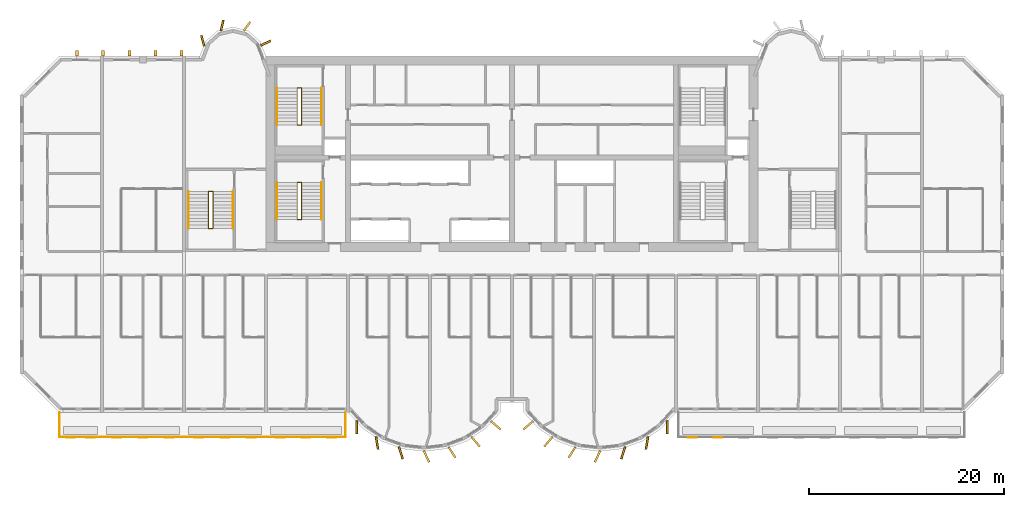
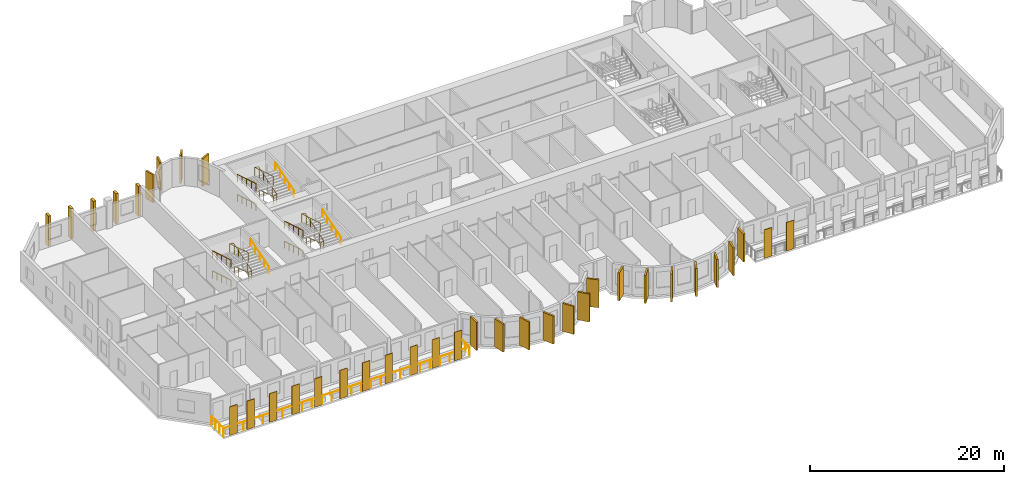
# One storey, part 12 of 14: 36 coverings, 13 railings.
"""IFC4 building model written with IfcOpenShell, lengths in metres."""

from ifc_helpers import new_model, si_unit, direction, frame, origin, origin_2d, place, context, subcontext, project, spatial, rectangle, circle, extrude, source, transform, mapped, material, layer, layer_set, material_profile, profile_set, type_object, element, save


model = new_model("IFC4")

# Units and contexts
model_context = context("Model", 3, precision=1e-05, world=origin(), true_north=direction((0.0, 1.0)))
body_context = subcontext(model_context, "Body", "Model", "MODEL_VIEW")
ifc_project = project(units=[si_unit("LENGTHUNIT", "METRE"), si_unit("AREAUNIT", "SQUARE_METRE"), si_unit("VOLUMEUNIT", "CUBIC_METRE"), si_unit("PLANEANGLEUNIT", "RADIAN"), si_unit("MASSUNIT", "GRAM", prefix="KILO")], contexts=[model_context])

# Site, building, storey
site_placement = place(None, origin())
site = spatial("IfcSite", under=ifc_project, at=site_placement, CompositionType="ELEMENT")
building_placement = place(site_placement, origin())
building = spatial("IfcBuilding", under=site, at=building_placement, Name="Vanashikhar Sky Hotel", CompositionType="ELEMENT")
storey_placement = place(building_placement, frame((0.0, 0.0, 125.60009765625)))
storey = spatial("IfcBuildingStorey", under=building, at=storey_placement, Name="L30", CompositionType="ELEMENT", Elevation=125.60009765625)

# Railing
ifc_material_1 = material(Name="Stainless steel 316", Category="steel")
railing_type_1 = type_object("IfcRailingType", Name="Balcony guard 1100", PredefinedType="GUARDRAIL", material=ifc_material_1)
shared_shape_1 = source(origin(), body_context, "Body", "SweptSolid", [
    extrude(circle(Radius=0.02392578125, at=origin_2d()), frame((0.0, 0.0, 1.076171875), z_axis=(0.0, -1.0, 0.0), x_axis=(1.0, 0.0, 0.0)), (0.0, 0.0, 1.0), 2.5),
    extrude(circle(Radius=0.02392578125, at=origin_2d()), frame((0.0, -2.5, 1.076171875), z_axis=(1.0, 0.0, 0.0), x_axis=(0.0, 1.0, 0.0)), (0.0, 0.0, 1.0), 29.280029296875),
    extrude(circle(Radius=0.02392578125, at=origin_2d()), frame((29.280029296875, -2.5, 1.076171875), z_axis=(0.0, 1.0, 0.0), x_axis=(-1.0, 0.0, 0.0)), (0.0, 0.0, 1.0), 2.5),
    extrude(circle(Radius=0.02099609375, at=origin_2d()), origin(), (0.0, 0.0, 1.0), 1.052001953125),
    extrude(circle(Radius=0.02099609375, at=origin_2d()), frame((0.0, -0.833251953125, 0.0)), (0.0, 0.0, 1.0), 1.052001953125),
    extrude(circle(Radius=0.02099609375, at=origin_2d()), frame((0.0, -1.666748046875, 0.0)), (0.0, 0.0, 1.0), 1.052001953125),
    extrude(circle(Radius=0.02099609375, at=origin_2d()), frame((0.0, -2.5, 0.0)), (0.0, 0.0, 1.0), 1.052001953125),
    extrude(circle(Radius=0.02099609375, at=origin_2d()), frame((1.171142578125, -2.5, 0.0)), (0.0, 0.0, 1.0), 1.052001953125),
    extrude(circle(Radius=0.02099609375, at=origin_2d()), frame((2.34228515625, -2.5, 0.0)), (0.0, 0.0, 1.0), 1.052001953125),
    extrude(circle(Radius=0.02099609375, at=origin_2d()), frame((3.513671875, -2.5, 0.0)), (0.0, 0.0, 1.0), 1.052001953125),
    extrude(circle(Radius=0.02099609375, at=origin_2d()), frame((4.684814453125, -2.5, 0.0)), (0.0, 0.0, 1.0), 1.052001953125),
    extrude(circle(Radius=0.02099609375, at=origin_2d()), frame((5.85595703125, -2.5, 0.0)), (0.0, 0.0, 1.0), 1.052001953125),
    extrude(circle(Radius=0.02099609375, at=origin_2d()), frame((7.027099609375, -2.5, 0.0)), (0.0, 0.0, 1.0), 1.052001953125),
    extrude(circle(Radius=0.02099609375, at=origin_2d()), frame((8.198486328125, -2.5, 0.0)), (0.0, 0.0, 1.0), 1.052001953125),
    extrude(circle(Radius=0.02099609375, at=origin_2d()), frame((9.36962890625, -2.5, 0.0)), (0.0, 0.0, 1.0), 1.052001953125),
    extrude(circle(Radius=0.02099609375, at=origin_2d()), frame((10.540771484375, -2.5, 0.0)), (0.0, 0.0, 1.0), 1.052001953125),
    extrude(circle(Radius=0.02099609375, at=origin_2d()), frame((11.7119140625, -2.5, 0.0)), (0.0, 0.0, 1.0), 1.052001953125),
    extrude(circle(Radius=0.02099609375, at=origin_2d()), frame((12.88330078125, -2.5, 0.0)), (0.0, 0.0, 1.0), 1.052001953125),
    extrude(circle(Radius=0.02099609375, at=origin_2d()), frame((14.054443359375, -2.5, 0.0)), (0.0, 0.0, 1.0), 1.052001953125),
    extrude(circle(Radius=0.02099609375, at=origin_2d()), frame((15.2255859375, -2.5, 0.0)), (0.0, 0.0, 1.0), 1.052001953125),
    extrude(circle(Radius=0.02099609375, at=origin_2d()), frame((16.396728515625, -2.5, 0.0)), (0.0, 0.0, 1.0), 1.052001953125),
    extrude(circle(Radius=0.02099609375, at=origin_2d()), frame((17.568115234375, -2.5, 0.0)), (0.0, 0.0, 1.0), 1.052001953125),
    extrude(circle(Radius=0.02099609375, at=origin_2d()), frame((18.7392578125, -2.5, 0.0)), (0.0, 0.0, 1.0), 1.052001953125),
    extrude(circle(Radius=0.02099609375, at=origin_2d()), frame((19.910400390625, -2.5, 0.0)), (0.0, 0.0, 1.0), 1.052001953125),
    extrude(circle(Radius=0.02099609375, at=origin_2d()), frame((21.08154296875, -2.5, 0.0)), (0.0, 0.0, 1.0), 1.052001953125),
    extrude(circle(Radius=0.02099609375, at=origin_2d()), frame((22.2529296875, -2.5, 0.0)), (0.0, 0.0, 1.0), 1.052001953125),
    extrude(circle(Radius=0.02099609375, at=origin_2d()), frame((23.424072265625, -2.5, 0.0)), (0.0, 0.0, 1.0), 1.052001953125),
    extrude(circle(Radius=0.02099609375, at=origin_2d()), frame((24.59521484375, -2.5, 0.0)), (0.0, 0.0, 1.0), 1.052001953125),
    extrude(circle(Radius=0.02099609375, at=origin_2d()), frame((25.766357421875, -2.5, 0.0)), (0.0, 0.0, 1.0), 1.052001953125),
    extrude(circle(Radius=0.02099609375, at=origin_2d()), frame((26.937744140625, -2.5, 0.0)), (0.0, 0.0, 1.0), 1.052001953125),
    extrude(circle(Radius=0.02099609375, at=origin_2d()), frame((28.10888671875, -2.5, 0.0)), (0.0, 0.0, 1.0), 1.052001953125),
    extrude(circle(Radius=0.02099609375, at=origin_2d()), frame((29.280029296875, -2.5, 0.0)), (0.0, 0.0, 1.0), 1.052001953125),
    extrude(circle(Radius=0.02099609375, at=origin_2d()), frame((29.280029296875, -1.666748046875, 0.0)), (0.0, 0.0, 1.0), 1.052001953125),
    extrude(circle(Radius=0.02099609375, at=origin_2d()), frame((29.280029296875, -0.833251953125, 0.0)), (0.0, 0.0, 1.0), 1.052001953125),
    extrude(circle(Radius=0.02099609375, at=origin_2d()), frame((29.280029296875, 0.0, 0.0)), (0.0, 0.0, 1.0), 1.052001953125),
])
railing_1_placement = place(storey_placement, frame((4.06005859375, 5.5, -0.050048828125)))
element("IfcRailing", 1, at=railing_1_placement, inside=storey, type_object=railing_type_1, Name="Balcony guard", PredefinedType="GUARDRAIL", context=body_context, shape_type="MappedRepresentation", body=[
    mapped(shared_shape_1, transform((0.0, 0.0, 0.0), scale=1.0)),
])

# Coverings
ifc_material_2 = material(Name="Terracotta", Category="masonry")
ifc_layer = layer(ifc_material_2, 0.06005859375)
ifc_layer_set = layer_set([ifc_layer], Name="Terracotta baguette screen")
covering_type_1 = type_object("IfcCoveringType", Name="Terracotta baguette screen", PredefinedType="CLADDING", material=ifc_layer_set)
shared_shape_2 = source(origin(), body_context, "Body", "SweptSolid", [
    extrude(rectangle(XDim=0.89990234375, YDim=0.06005859375, at=origin_2d()), origin(), (0.0, 0.0, 1.0), 3.60009765625),
])
for number, where, z_axis, x_axis, name in (
    (2, (5.175048828125, 2.929931640625, -0.050048828125), (0.0, 0.0, 1.0), (1.0, 0.0, 0.0), "Terracotta screen"),
    (3, (7.22509765625, 2.929931640625, -0.050048828125), (0.0, 0.0, 1.0), (1.0, 0.0, 0.0), "Terracotta screen"),
    (4, (9.89990234375, 2.929931640625, -0.050048828125), (0.0, 0.0, 1.0), (1.0, 0.0, 0.0), "Terracotta screen"),
    (5, (12.60009765625, 2.929931640625, -0.050048828125), (0.0, 0.0, 1.0), (1.0, 0.0, 0.0), "Terracotta screen"),
    (6, (15.300048828125, 2.929931640625, -0.050048828125), (0.0, 0.0, 1.0), (1.0, 0.0, 0.0), "Terracotta screen"),
    (7, (18.300048828125, 2.929931640625, -0.050048828125), (0.0, 0.0, 1.0), (1.0, 0.0, 0.0), "Terracotta screen"),
    (8, (21.0, 2.929931640625, -0.050048828125), (0.0, 0.0, 1.0), (1.0, 0.0, 0.0), "Terracotta screen"),
    (9, (23.699951171875, 2.929931640625, -0.050048828125), (0.0, 0.0, 1.0), (1.0, 0.0, 0.0), "Terracotta screen"),
    (10, (26.666748046875, 2.929931640625, -0.050048828125), (0.0, 0.0, 1.0), (1.0, 0.0, 0.0), "Terracotta screen"),
    (11, (29.300048828125, 2.929931640625, -0.050048828125), (0.0, 0.0, 1.0), (1.0, 0.0, 0.0), "Terracotta screen"),
    (12, (31.933349609375, 2.929931640625, -0.050048828125), (0.0, 0.0, 1.0), (1.0, 0.0, 0.0), "Terracotta screen"),
    (13, (68.86669921875, 2.929931640625, -0.050048828125), (0.0, 0.0, 1.0), (1.0, 0.0, 0.0), "Terracotta screen"),
    (14, (71.5, 2.929931640625, -0.050048828125), (0.0, 0.0, 1.0), (1.0, 0.0, 0.0), "Terracotta screen"),
):
    element("IfcCovering", number, at=place(storey_placement, frame(where, z_axis=z_axis, x_axis=x_axis)), inside=storey, type_object=covering_type_1, Name=name, PredefinedType="CLADDING", context=body_context, shape_type="MappedRepresentation", body=[
        mapped(shared_shape_2, transform((0.0, 0.0, 0.0), scale=1.0)),
    ])
ifc_material_3 = material(Name="Concrete M60 dark", Category="concrete")
ifc_material_profile_1 = material_profile(ifc_material_3, rectangle(XDim=1.300048828125, YDim=0.199951171875, at=origin_2d()))
ifc_profile_set_1 = profile_set([ifc_material_profile_1], Name="Fin 1300 x 200")
covering_type_2 = type_object("IfcCoveringType", Name="Fin 1300 x 200", PredefinedType="CLADDING", material=ifc_profile_set_1)
shared_shape_3 = source(origin(), body_context, "Body", "SweptSolid", [
    extrude(rectangle(XDim=1.300048828125, YDim=0.199951171875, at=origin_2d()), origin(), (0.0, 0.0, 1.0), 3.52001953125),
])
for number, where, z_axis, x_axis, name in (
    (15, (34.482421875, 3.992919921875, 0.0), (0.0, 0.0, 1.0), (0.011588726826, -0.999932848451, 0.0), "Fin F1-1"),
    (16, (36.572509765625, 2.3779296875, 0.0), (0.0, 0.0, 1.0), (0.16989991575, -0.985461322746, 0.0), "Fin F1-2"),
    (17, (39.00830078125, 1.35693359375, 0.0), (0.0, 0.0, 1.0), (0.303966551867, -0.952682704444, 0.0), "Fin F1-3"),
    (18, (41.63232421875, 1.00146484375, 0.0), (0.0, 0.0, 1.0), (0.422618261741, -0.906307787037, 0.0), "Fin F1-4"),
    (19, (44.251953125, 1.416015625, 0.0), (0.0, 0.0, 1.0), (0.534411358496, -0.845224526331, 0.0), "Fin F1-5"),
    (20, (46.676025390625, 2.5, 0.0), (0.0, 0.0, 1.0), (0.645697609467, -0.763593214433, 0.0), "Fin F1-6"),
    (21, (48.7412109375, 4.1845703125, 0.0), (0.0, 0.0, 1.0), (0.758543912032, -0.65162192529, 0.0), "Fin F1-7"),
    (22, (52.058837890625, 4.1845703125, 0.0), (0.0, 0.0, 1.0), (-0.758543912032, -0.65162192529, 0.0), "Fin F2-1"),
    (23, (54.123779296875, 2.5, 0.0), (0.0, 0.0, 1.0), (-0.645697609467, -0.763593214433, 0.0), "Fin F2-2"),
    (24, (56.547119140625, 1.416015625, 0.0), (0.0, 0.0, 1.0), (-0.534411358496, -0.845224526331, 0.0), "Fin F2-3"),
    (25, (59.16748046875, 1.00146484375, 0.0), (0.0, 0.0, 1.0), (-0.422618261741, -0.906307787037, 0.0), "Fin F2-4"),
    (26, (61.790771484375, 1.35693359375, 0.0), (0.0, 0.0, 1.0), (-0.303966551867, -0.952682704444, 0.0), "Fin F2-5"),
    (27, (64.2275390625, 2.3779296875, 0.0), (0.0, 0.0, 1.0), (-0.16989991575, -0.985461322746, 0.0), "Fin F2-6"),
    (28, (66.317626953125, 3.992919921875, 0.0), (0.0, 0.0, 1.0), (-0.011588726826, -0.999932848451, 0.0), "Fin F2-7"),
):
    element("IfcCovering", number, at=place(storey_placement, frame(where, z_axis=z_axis, x_axis=x_axis)), inside=storey, type_object=covering_type_2, Name=name, PredefinedType="CLADDING", context=body_context, shape_type="MappedRepresentation", body=[
        mapped(shared_shape_3, transform((0.0, 0.0, 0.0), scale=1.0)),
    ])
ifc_material_profile_2 = material_profile(ifc_material_3, rectangle(XDim=1.10009765625, YDim=0.199951171875, at=origin_2d()))
ifc_profile_set_2 = profile_set([ifc_material_profile_2], Name="Rear lobe fin 1100 x 200")
covering_type_3 = type_object("IfcCoveringType", Name="Rear lobe fin 1100 x 200", PredefinedType="CLADDING", material=ifc_profile_set_2)
shared_shape_4 = source(origin(), body_context, "Body", "SweptSolid", [
    extrude(rectangle(XDim=1.10009765625, YDim=0.199951171875, at=origin_2d()), origin(), (0.0, 0.0, 1.0), 3.52001953125),
])
for number, where, z_axis, x_axis, name in (
    (29, (18.720703125, 43.580078125, 0.0), (0.0, 0.0, 1.0), (-0.262711264409, 0.964874495234, 0.0), "Fin R1-1"),
    (30, (20.710205078125, 45.1455078125, 0.0), (0.0, 0.0, 1.0), (0.224644935864, 0.974440687159, 0.0), "Fin R1-2"),
    (31, (23.261962890625, 45.06640625, 0.0), (0.0, 0.0, 1.0), (0.602065892195, 0.798446404874, 0.0), "Fin R1-3"),
    (32, (25.169677734375, 43.33447265625, 0.0), (0.0, 0.0, 1.0), (0.908004291068, 0.418960866193, 0.0), "Fin R1-4"),
):
    element("IfcCovering", number, at=place(storey_placement, frame(where, z_axis=z_axis, x_axis=x_axis)), inside=storey, type_object=covering_type_3, Name=name, PredefinedType="CLADDING", context=body_context, shape_type="MappedRepresentation", body=[
        mapped(shared_shape_4, transform((0.0, 0.0, 0.0), scale=1.0)),
    ])
ifc_material_profile_3 = material_profile(ifc_material_3, rectangle(XDim=0.60009765625, YDim=0.300048828125, at=origin_2d()))
ifc_profile_set_3 = profile_set([ifc_material_profile_3], Name="Rear rib 600 x 300")
covering_type_4 = type_object("IfcCoveringType", Name="Rear rib 600 x 300", PredefinedType="CLADDING", material=ifc_profile_set_3)
shared_shape_5 = source(origin(), body_context, "Body", "SweptSolid", [
    extrude(rectangle(XDim=0.60009765625, YDim=0.300048828125, at=origin_2d()), origin(), (0.0, 0.0, 1.0), 3.800048828125),
])
for number, where, z_axis, x_axis, name in (
    (33, (5.840087890625, 42.300048828125, -0.280029296875), (0.0, 0.0, 1.0), (0.0, 1.0, 0.0), "Rear rib"),
    (34, (8.52001953125, 42.300048828125, -0.280029296875), (0.0, 0.0, 1.0), (0.0, 1.0, 0.0), "Rear rib"),
    (35, (11.199951171875, 42.300048828125, -0.280029296875), (0.0, 0.0, 1.0), (0.0, 1.0, 0.0), "Rear rib"),
    (36, (13.8798828125, 42.300048828125, -0.280029296875), (0.0, 0.0, 1.0), (0.0, 1.0, 0.0), "Rear rib"),
    (37, (16.56005859375, 42.300048828125, -0.280029296875), (0.0, 0.0, 1.0), (0.0, 1.0, 0.0), "Rear rib"),
):
    element("IfcCovering", number, at=place(storey_placement, frame(where, z_axis=z_axis, x_axis=x_axis)), inside=storey, type_object=covering_type_4, Name=name, PredefinedType="CLADDING", context=body_context, shape_type="MappedRepresentation", body=[
        mapped(shared_shape_5, transform((0.0, 0.0, 0.0), scale=1.0)),
    ])

# Railings
ifc_material_4 = material(Name="Steel S355", Category="steel")
railing_type_2 = type_object("IfcRailingType", Name="Stair handrail 900", PredefinedType="HANDRAIL", material=ifc_material_4)
shared_shape_6 = source(origin(), body_context, "Body", "SweptSolid", [
    extrude(circle(Radius=0.02392578125, at=origin_2d()), frame((0.0, 0.0, 0.8759765625), z_axis=(0.0, 0.95635109408, 0.292220096591), x_axis=(-1.0, 0.0, 0.0)), (0.0, 0.0, 1.0), 3.973388671875),
    extrude(circle(Radius=0.02099609375, at=origin_2d()), origin(), (0.0, 0.0, 1.0), 0.851806640625),
    extrude(circle(Radius=0.02099609375, at=origin_2d()), frame((0.0, 0.949951171875, 0.290283203125)), (0.0, 0.0, 1.0), 0.851806640625),
    extrude(circle(Radius=0.02099609375, at=origin_2d()), frame((0.0, 1.89990234375, 0.58056640625)), (0.0, 0.0, 1.0), 0.851806640625),
    extrude(circle(Radius=0.02099609375, at=origin_2d()), frame((0.0, 2.85009765625, 0.870849609375)), (0.0, 0.0, 1.0), 0.851806640625),
    extrude(circle(Radius=0.02099609375, at=origin_2d()), frame((0.0, 3.800048828125, 1.1611328125)), (0.0, 0.0, 1.0), 0.851806640625),
])
for number, where, name in (
    (38, (30.89990234375, 25.25, 1.3720703125), "Exit stair 1 handrail"),
    (39, (30.89990234375, 34.949951171875, 1.3720703125), "Exit stair 5 handrail"),
):
    element("IfcRailing", number, at=place(storey_placement, frame(where)), inside=storey, type_object=railing_type_2, Name=name, PredefinedType="HANDRAIL", context=body_context, shape_type="MappedRepresentation", body=[
        mapped(shared_shape_6, transform((0.0, 0.0, 0.0), scale=1.0)),
    ])
shared_shape_7 = source(origin(), body_context, "Body", "SweptSolid", [
    extrude(circle(Radius=0.02392578125, at=origin_2d()), frame((0.0, 0.0, 0.8759765625), z_axis=(0.0, -0.95635109408, 0.292220096591), x_axis=(1.0, 0.0, 0.0)), (0.0, 0.0, 1.0), 3.973388671875),
    extrude(circle(Radius=0.02099609375, at=origin_2d()), origin(), (0.0, 0.0, 1.0), 0.851806640625),
    extrude(circle(Radius=0.02099609375, at=origin_2d()), frame((0.0, -0.949951171875, 0.290283203125)), (0.0, 0.0, 1.0), 0.851806640625),
    extrude(circle(Radius=0.02099609375, at=origin_2d()), frame((0.0, -1.89990234375, 0.58056640625)), (0.0, 0.0, 1.0), 0.851806640625),
    extrude(circle(Radius=0.02099609375, at=origin_2d()), frame((0.0, -2.85009765625, 0.870849609375)), (0.0, 0.0, 1.0), 0.851806640625),
    extrude(circle(Radius=0.02099609375, at=origin_2d()), frame((0.0, -3.800048828125, 1.1611328125)), (0.0, 0.0, 1.0), 0.851806640625),
])
for number, where, name in (
    (40, (26.35009765625, 29.050048828125, 0.10546875), "Exit stair 1 handrail"),
    (41, (26.35009765625, 29.050048828125, 2.638671875), "Exit stair 1 handrail"),
    (42, (26.35009765625, 38.75, 0.10546875), "Exit stair 5 handrail"),
    (43, (26.35009765625, 38.75, 2.638671875), "Exit stair 5 handrail"),
):
    element("IfcRailing", number, at=place(storey_placement, frame(where)), inside=storey, type_object=railing_type_2, Name=name, PredefinedType="HANDRAIL", context=body_context, shape_type="MappedRepresentation", body=[
        mapped(shared_shape_7, transform((0.0, 0.0, 0.0), scale=1.0)),
    ])
railing_type_3 = type_object("IfcRailingType", Name="Stair guard 1100", PredefinedType="GUARDRAIL", material=ifc_material_4)
shared_shape_8 = source(origin(), body_context, "Body", "SweptSolid", [
    extrude(circle(Radius=0.02392578125, at=origin_2d()), frame((0.0, 0.0, 1.076171875), z_axis=(-0.973638301096, 0.0, 0.228097476179), x_axis=(0.0, -1.0, 0.0)), (0.0, 0.0, 1.0), 0.46240234375),
    extrude(circle(Radius=0.02392578125, at=origin_2d()), frame((-0.4501953125, 0.0, 1.181640625), z_axis=(0.0, -0.95635109408, 0.292220096591), x_axis=(1.0, 0.0, 0.0)), (0.0, 0.0, 1.0), 3.973388671875),
    extrude(circle(Radius=0.02392578125, at=origin_2d()), frame((-0.4501953125, -3.800048828125, 2.3427734375), z_axis=(0.973638301096, 0.0, 0.228097476179), x_axis=(0.0, 1.0, 0.0)), (0.0, 0.0, 1.0), 0.46240234375),
    extrude(circle(Radius=0.02392578125, at=origin_2d()), frame((0.0, -3.800048828125, 2.4482421875), z_axis=(0.0, 0.95635109408, 0.292220096591), x_axis=(-1.0, 0.0, 0.0)), (0.0, 0.0, 1.0), 3.973388671875),
    extrude(circle(Radius=0.02392578125, at=origin_2d()), frame((0.0, 0.0, 3.609375), z_axis=(-0.973638301096, 0.0, 0.228097476179), x_axis=(0.0, -1.0, 0.0)), (0.0, 0.0, 1.0), 0.46240234375),
    extrude(circle(Radius=0.02392578125, at=origin_2d()), frame((-0.4501953125, 0.0, 3.71484375), z_axis=(0.0, -0.95635109408, 0.292220096591), x_axis=(1.0, 0.0, 0.0)), (0.0, 0.0, 1.0), 3.973388671875),
    extrude(circle(Radius=0.02099609375, at=origin_2d()), origin(), (0.0, 0.0, 1.0), 1.052001953125),
    extrude(circle(Radius=0.02099609375, at=origin_2d()), frame((-0.4501953125, 0.0, 0.10546875)), (0.0, 0.0, 1.0), 1.052001953125),
    extrude(circle(Radius=0.02099609375, at=origin_2d()), frame((-0.4501953125, -0.949951171875, 0.395751953125)), (0.0, 0.0, 1.0), 1.052001953125),
    extrude(circle(Radius=0.02099609375, at=origin_2d()), frame((-0.4501953125, -1.89990234375, 0.68603515625)), (0.0, 0.0, 1.0), 1.052001953125),
    extrude(circle(Radius=0.02099609375, at=origin_2d()), frame((-0.4501953125, -2.85009765625, 0.976318359375)), (0.0, 0.0, 1.0), 1.052001953125),
    extrude(circle(Radius=0.02099609375, at=origin_2d()), frame((-0.4501953125, -3.800048828125, 1.2666015625)), (0.0, 0.0, 1.0), 1.052001953125),
    extrude(circle(Radius=0.02099609375, at=origin_2d()), frame((0.0, -3.800048828125, 1.3720703125)), (0.0, 0.0, 1.0), 1.052001953125),
    extrude(circle(Radius=0.02099609375, at=origin_2d()), frame((0.0, -2.85009765625, 1.662353515625)), (0.0, 0.0, 1.0), 1.052001953125),
    extrude(circle(Radius=0.02099609375, at=origin_2d()), frame((0.0, -1.89990234375, 1.95263671875)), (0.0, 0.0, 1.0), 1.052001953125),
    extrude(circle(Radius=0.02099609375, at=origin_2d()), frame((0.0, -0.949951171875, 2.242919921875)), (0.0, 0.0, 1.0), 1.052001953125),
    extrude(circle(Radius=0.02099609375, at=origin_2d()), frame((0.0, 0.0, 2.533203125)), (0.0, 0.0, 1.0), 1.052001953125),
    extrude(circle(Radius=0.02099609375, at=origin_2d()), frame((-0.4501953125, 0.0, 2.638671875)), (0.0, 0.0, 1.0), 1.052001953125),
    extrude(circle(Radius=0.02099609375, at=origin_2d()), frame((-0.4501953125, -0.949951171875, 2.928955078125)), (0.0, 0.0, 1.0), 1.052001953125),
    extrude(circle(Radius=0.02099609375, at=origin_2d()), frame((-0.4501953125, -1.89990234375, 3.21923828125)), (0.0, 0.0, 1.0), 1.052001953125),
    extrude(circle(Radius=0.02099609375, at=origin_2d()), frame((-0.4501953125, -2.85009765625, 3.509521484375)), (0.0, 0.0, 1.0), 1.052001953125),
    extrude(circle(Radius=0.02099609375, at=origin_2d()), frame((-0.4501953125, -3.800048828125, 3.7998046875)), (0.0, 0.0, 1.0), 1.052001953125),
])
for number, where, name in (
    (44, (28.85009765625, 29.050048828125, 0.0), "Exit stair 1 guard"),
    (45, (28.85009765625, 38.75, 0.0), "Exit stair 5 guard"),
):
    element("IfcRailing", number, at=place(storey_placement, frame(where)), inside=storey, type_object=railing_type_3, Name=name, PredefinedType="GUARDRAIL", context=body_context, shape_type="MappedRepresentation", body=[
        mapped(shared_shape_8, transform((0.0, 0.0, 0.0), scale=1.0)),
    ])
shared_shape_9 = source(origin(), body_context, "Body", "SweptSolid", [
    extrude(circle(Radius=0.02392578125, at=origin_2d()), frame((0.0, 0.0, 0.8759765625), z_axis=(0.0, 0.956345846891, 0.292237268557), x_axis=(-1.0, 0.0, 0.0)), (0.0, 0.0, 1.0), 3.97314453125),
    extrude(circle(Radius=0.02099609375, at=origin_2d()), origin(), (0.0, 0.0, 1.0), 0.851806640625),
    extrude(circle(Radius=0.02099609375, at=origin_2d()), frame((0.0, 0.949951171875, 0.290283203125)), (0.0, 0.0, 1.0), 0.851806640625),
    extrude(circle(Radius=0.02099609375, at=origin_2d()), frame((0.0, 1.89990234375, 0.58056640625)), (0.0, 0.0, 1.0), 0.851806640625),
    extrude(circle(Radius=0.02099609375, at=origin_2d()), frame((0.0, 2.849853515625, 0.870849609375)), (0.0, 0.0, 1.0), 0.851806640625),
    extrude(circle(Radius=0.02099609375, at=origin_2d()), frame((0.0, 3.7998046875, 1.1611328125)), (0.0, 0.0, 1.0), 0.851806640625),
])
railing_2_placement = place(storey_placement, frame((21.800048828125, 24.35009765625, 1.3720703125)))
element("IfcRailing", 46, at=railing_2_placement, inside=storey, type_object=railing_type_2, Name="Exit stair 3 handrail", PredefinedType="HANDRAIL", context=body_context, shape_type="MappedRepresentation", body=[
    mapped(shared_shape_9, transform((0.0, 0.0, 0.0), scale=1.0)),
])
shared_shape_10 = source(origin(), body_context, "Body", "SweptSolid", [
    extrude(circle(Radius=0.02392578125, at=origin_2d()), frame((0.0, 0.0, 0.8759765625), z_axis=(0.0, -0.956345846891, 0.292237268557), x_axis=(1.0, 0.0, 0.0)), (0.0, 0.0, 1.0), 3.97314453125),
    extrude(circle(Radius=0.02099609375, at=origin_2d()), origin(), (0.0, 0.0, 1.0), 0.851806640625),
    extrude(circle(Radius=0.02099609375, at=origin_2d()), frame((0.0, -0.949951171875, 0.290283203125)), (0.0, 0.0, 1.0), 0.851806640625),
    extrude(circle(Radius=0.02099609375, at=origin_2d()), frame((0.0, -1.89990234375, 0.58056640625)), (0.0, 0.0, 1.0), 0.851806640625),
    extrude(circle(Radius=0.02099609375, at=origin_2d()), frame((0.0, -2.849853515625, 0.870849609375)), (0.0, 0.0, 1.0), 0.851806640625),
    extrude(circle(Radius=0.02099609375, at=origin_2d()), frame((0.0, -3.7998046875, 1.1611328125)), (0.0, 0.0, 1.0), 0.851806640625),
])
for number, where, name in (
    (47, (17.25, 28.14990234375, 0.10546875), "Exit stair 3 handrail"),
    (48, (17.25, 28.14990234375, 2.638671875), "Exit stair 3 handrail"),
):
    element("IfcRailing", number, at=place(storey_placement, frame(where)), inside=storey, type_object=railing_type_2, Name=name, PredefinedType="HANDRAIL", context=body_context, shape_type="MappedRepresentation", body=[
        mapped(shared_shape_10, transform((0.0, 0.0, 0.0), scale=1.0)),
    ])
shared_shape_11 = source(origin(), body_context, "Body", "SweptSolid", [
    extrude(circle(Radius=0.02392578125, at=origin_2d()), frame((0.0, 0.0, 1.076171875), z_axis=(-0.973610808694, 0.0, 0.228214796178), x_axis=(0.0, -1.0, 0.0)), (0.0, 0.0, 1.0), 0.462158203125),
    extrude(circle(Radius=0.02392578125, at=origin_2d()), frame((-0.449951171875, 0.0, 1.181640625), z_axis=(0.0, -0.956345846891, 0.292237268557), x_axis=(1.0, 0.0, 0.0)), (0.0, 0.0, 1.0), 3.97314453125),
    extrude(circle(Radius=0.02392578125, at=origin_2d()), frame((-0.449951171875, -3.7998046875, 2.3427734375), z_axis=(0.973610808694, 0.0, 0.228214796178), x_axis=(0.0, 1.0, 0.0)), (0.0, 0.0, 1.0), 0.462158203125),
    extrude(circle(Radius=0.02392578125, at=origin_2d()), frame((0.0, -3.7998046875, 2.4482421875), z_axis=(0.0, 0.956345846891, 0.292237268557), x_axis=(-1.0, 0.0, 0.0)), (0.0, 0.0, 1.0), 3.97314453125),
    extrude(circle(Radius=0.02392578125, at=origin_2d()), frame((0.0, 0.0, 3.609375), z_axis=(-0.973610808694, 0.0, 0.228214796178), x_axis=(0.0, -1.0, 0.0)), (0.0, 0.0, 1.0), 0.462158203125),
    extrude(circle(Radius=0.02392578125, at=origin_2d()), frame((-0.449951171875, 0.0, 3.71484375), z_axis=(0.0, -0.956345846891, 0.292237268557), x_axis=(1.0, 0.0, 0.0)), (0.0, 0.0, 1.0), 3.97314453125),
    extrude(circle(Radius=0.02099609375, at=origin_2d()), origin(), (0.0, 0.0, 1.0), 1.052001953125),
    extrude(circle(Radius=0.02099609375, at=origin_2d()), frame((-0.449951171875, 0.0, 0.10546875)), (0.0, 0.0, 1.0), 1.052001953125),
    extrude(circle(Radius=0.02099609375, at=origin_2d()), frame((-0.449951171875, -0.949951171875, 0.395751953125)), (0.0, 0.0, 1.0), 1.052001953125),
    extrude(circle(Radius=0.02099609375, at=origin_2d()), frame((-0.449951171875, -1.89990234375, 0.68603515625)), (0.0, 0.0, 1.0), 1.052001953125),
    extrude(circle(Radius=0.02099609375, at=origin_2d()), frame((-0.449951171875, -2.849853515625, 0.976318359375)), (0.0, 0.0, 1.0), 1.052001953125),
    extrude(circle(Radius=0.02099609375, at=origin_2d()), frame((-0.449951171875, -3.7998046875, 1.2666015625)), (0.0, 0.0, 1.0), 1.052001953125),
    extrude(circle(Radius=0.02099609375, at=origin_2d()), frame((0.0, -3.7998046875, 1.3720703125)), (0.0, 0.0, 1.0), 1.052001953125),
    extrude(circle(Radius=0.02099609375, at=origin_2d()), frame((0.0, -2.849853515625, 1.662353515625)), (0.0, 0.0, 1.0), 1.052001953125),
    extrude(circle(Radius=0.02099609375, at=origin_2d()), frame((0.0, -1.89990234375, 1.95263671875)), (0.0, 0.0, 1.0), 1.052001953125),
    extrude(circle(Radius=0.02099609375, at=origin_2d()), frame((0.0, -0.949951171875, 2.242919921875)), (0.0, 0.0, 1.0), 1.052001953125),
    extrude(circle(Radius=0.02099609375, at=origin_2d()), frame((0.0, 0.0, 2.533203125)), (0.0, 0.0, 1.0), 1.052001953125),
    extrude(circle(Radius=0.02099609375, at=origin_2d()), frame((-0.449951171875, 0.0, 2.638671875)), (0.0, 0.0, 1.0), 1.052001953125),
    extrude(circle(Radius=0.02099609375, at=origin_2d()), frame((-0.449951171875, -0.949951171875, 2.928955078125)), (0.0, 0.0, 1.0), 1.052001953125),
    extrude(circle(Radius=0.02099609375, at=origin_2d()), frame((-0.449951171875, -1.89990234375, 3.21923828125)), (0.0, 0.0, 1.0), 1.052001953125),
    extrude(circle(Radius=0.02099609375, at=origin_2d()), frame((-0.449951171875, -2.849853515625, 3.509521484375)), (0.0, 0.0, 1.0), 1.052001953125),
    extrude(circle(Radius=0.02099609375, at=origin_2d()), frame((-0.449951171875, -3.7998046875, 3.7998046875)), (0.0, 0.0, 1.0), 1.052001953125),
])
railing_3_placement = place(storey_placement, frame((19.75, 28.14990234375, 0.0)))
element("IfcRailing", 49, at=railing_3_placement, inside=storey, type_object=railing_type_3, Name="Exit stair 3 guard", PredefinedType="GUARDRAIL", context=body_context, shape_type="MappedRepresentation", body=[
    mapped(shared_shape_11, transform((0.0, 0.0, 0.0), scale=1.0)),
])

save(model, "model.ifc")
